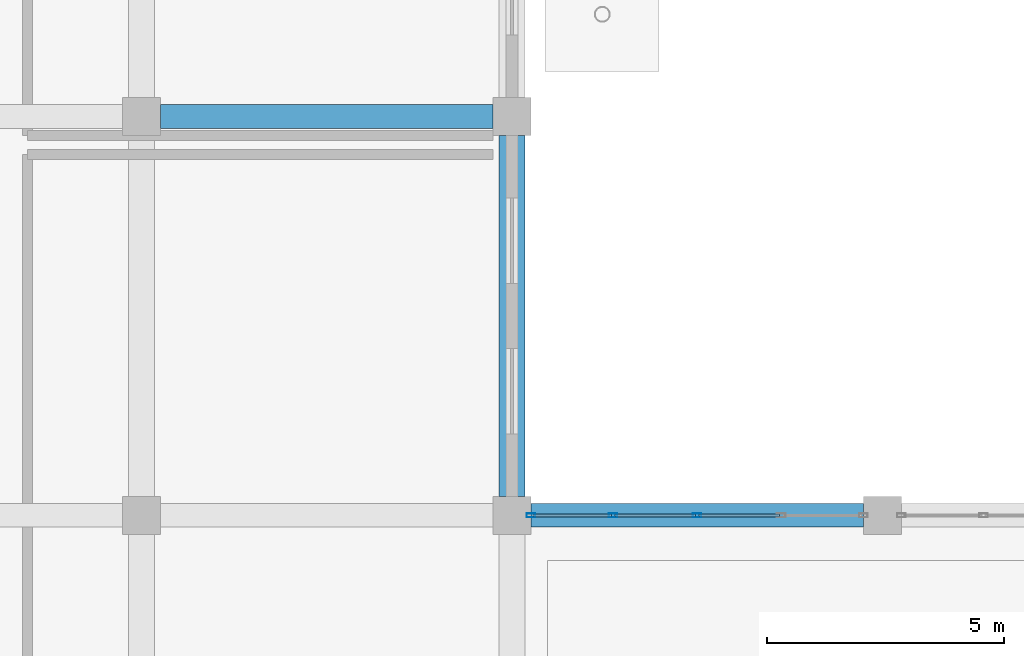
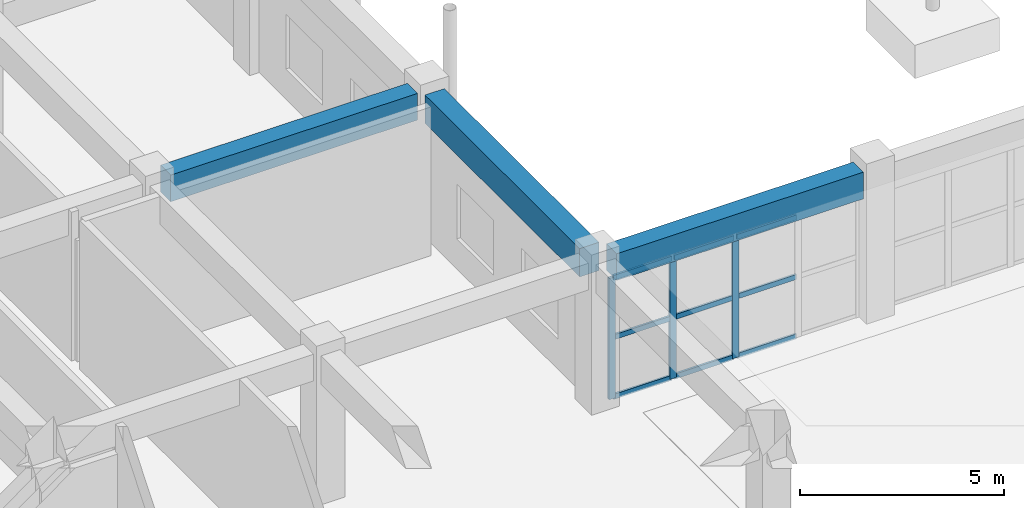
# One storey, part 23 of 139: 12 members, 3 beams, 1 element without a shape of its own.
"""IFC4 building model written with IfcOpenShell, lengths in metres."""

import ifcopenshell
import ifcopenshell.guid

model = None  # the IFC model being written
_history = None  # IfcOwnerHistory: only IFC2X3 demands one
_inside = {}  # id of a spatial element -> (the spatial element, [elements in it])
_under = {}  # id of a project, library or spatial element -> (it, [spatial elements below it])
_declared = {}  # id of a project -> (the project, [libraries it declares])
_typed = {}  # id of a type object -> (the type object, [elements of that type])
_made_of = {}  # id of a material, layer set ... -> (it, [elements and type objects made of it])


def new_model(schema):
    """Start an empty IFC model of exactly this schema.

    Asked for "IFC4X3", IfcOpenShell would pick the latest addendum, in which some entities
    have other attributes; the version numbers below select the first issue.
    IFC2X3 requires an IfcOwnerHistory on every rooted entity: one is made here for all.
    """
    global model, _history
    if schema == "IFC4X3":
        model = ifcopenshell.file(schema_version=(4, 3, 0, 0))
    else:
        model = ifcopenshell.file(schema=schema)
    _inside.clear()
    _under.clear()
    _declared.clear()
    _typed.clear()
    _made_of.clear()
    _history = None
    if model.schema == "IFC2X3":
        org = make("IfcOrganization", Name="unknown")
        user = make(
            "IfcPersonAndOrganization",
            ThePerson=make("IfcPerson", FamilyName="unknown"),
            TheOrganization=org,
        )
        app = make(
            "IfcApplication",
            ApplicationDeveloper=org,
            Version="unknown",
            ApplicationFullName="unknown",
            ApplicationIdentifier="unknown",
        )
        _history = make(
            "IfcOwnerHistory",
            OwningUser=user,
            OwningApplication=app,
            ChangeAction="ADDED",
            CreationDate=0,
        )
    return model


def make(cls, **values):
    """One entity of the class cls with the attributes given. An attribute that is None is left unset."""
    return model.create_entity(
        cls, **{name: value for name, value in values.items() if value is not None}
    )


def rooted(cls, **values):
    """An entity with a GlobalId (a new one), such as an element, a storey or a relation."""
    return make(cls, GlobalId=ifcopenshell.guid.new(), OwnerHistory=_history, **values)


def si_unit(unit_type, name, prefix=None):
    """IfcSIUnit, for example si_unit("LENGTHUNIT", "METRE", prefix="MILLI")."""
    return make("IfcSIUnit", UnitType=unit_type, Prefix=prefix, Name=name)


def assignment(units):
    """IfcUnitAssignment: the units of a project."""
    return None if units is None else make("IfcUnitAssignment", Units=units)


def point(xyz):
    """IfcCartesianPoint."""
    return None if xyz is None else make("IfcCartesianPoint", Coordinates=xyz)


def direction(xyz):
    """IfcDirection."""
    return None if xyz is None else make("IfcDirection", DirectionRatios=xyz)


def frame(location, z_axis=None, x_axis=None):
    """IfcAxis2Placement3D, a coordinate frame: its origin and axes. An axis left out is left unset."""
    return make(
        "IfcAxis2Placement3D",
        Location=point(location),
        Axis=direction(z_axis),
        RefDirection=direction(x_axis),
    )


def frame_2d(location, x_axis=None):
    """IfcAxis2Placement2D, a coordinate frame in the plane: its origin and x axis."""
    return make(
        "IfcAxis2Placement2D", Location=point(location), RefDirection=direction(x_axis)
    )


def origin():
    """The frame at (0, 0, 0) with its axes left unset."""
    return frame((0.0, 0.0, 0.0))


def origin_2d():
    """The frame at (0, 0) in the plane with its x axis left unset."""
    return frame_2d((0.0, 0.0))


def place(relative_to, where):
    """IfcLocalPlacement: puts the frame where relative to a parent placement (None: the world)."""
    return make(
        "IfcLocalPlacement", PlacementRelTo=relative_to, RelativePlacement=where
    )


def context(
    kind, dimensions, precision=None, world=None, true_north=None, identifier=None
):
    """IfcGeometricRepresentationContext, for example the 3D "Model" context."""
    return make(
        "IfcGeometricRepresentationContext",
        ContextIdentifier=identifier,
        ContextType=kind,
        CoordinateSpaceDimension=dimensions,
        Precision=precision,
        WorldCoordinateSystem=world,
        TrueNorth=true_north,
    )


def subcontext(parent, identifier, kind, view, scale=None):
    """IfcGeometricRepresentationSubContext, for example "Body" below "Model"."""
    return make(
        "IfcGeometricRepresentationSubContext",
        ContextIdentifier=identifier,
        ContextType=kind,
        ParentContext=parent,
        TargetScale=scale,
        TargetView=view,
    )


def project(units=None, contexts=None):
    """IfcProject with its units and contexts."""
    return rooted(
        "IfcProject",
        Name="project",
        RepresentationContexts=contexts,
        UnitsInContext=assignment(units),
    )


def spatial(cls, under=None, at=None, **own):
    """A site, building, storey or space (cls), placed at a placement, below another one or the project."""
    s = rooted(cls, ObjectPlacement=at, **own)
    if under is not None:
        _under.setdefault(under.id(), (under, []))[1].append(s)
    return s


def profile(cls, at=None, kind="AREA", **sizes):
    """A parametric profile (cls). Its sizes go by their IFC names, for example OverallWidth=200.0."""
    return make(cls, ProfileType=kind, Position=at, **sizes)


def rectangle(**sizes):
    """IfcRectangleProfileDef."""
    return profile("IfcRectangleProfileDef", **sizes)


def hollow_rectangle(**sizes):
    """IfcRectangleHollowProfileDef."""
    return profile("IfcRectangleHollowProfileDef", **sizes)


def extrude(swept, where, along, depth):
    """IfcExtrudedAreaSolid: the profile swept, set in the frame where, extruded along a direction by depth."""
    return make(
        "IfcExtrudedAreaSolid",
        SweptArea=swept,
        Position=where,
        ExtrudedDirection=direction(along),
        Depth=depth,
    )


def shape(context_of_items, identifier, shape_type, items):
    """IfcShapeRepresentation: the items that make up one representation, for example the "Body"."""
    return make(
        "IfcShapeRepresentation",
        ContextOfItems=context_of_items,
        RepresentationIdentifier=identifier,
        RepresentationType=shape_type,
        Items=items,
    )


def material(Name=None, Category=None):
    """IfcMaterial."""
    return make("IfcMaterial", Name=Name, Category=Category)


def layer(
    of_material, thickness, ventilated=None, Name=None, Category=None, Priority=None
):
    """IfcMaterialLayer: one layer of a wall or slab, of a material (None: an air gap)."""
    return make(
        "IfcMaterialLayer",
        Material=of_material,
        LayerThickness=thickness,
        IsVentilated=ventilated,
        Name=Name,
        Category=Category,
        Priority=Priority,
    )


def layer_set(layers, Name=None):
    """IfcMaterialLayerSet."""
    return make("IfcMaterialLayerSet", MaterialLayers=layers, LayerSetName=Name)


def material_profile(
    of_material, cross_section, Name=None, Category=None, Priority=None
):
    """IfcMaterialProfile: a cross section and its material."""
    return make(
        "IfcMaterialProfile",
        Name=Name,
        Material=of_material,
        Profile=cross_section,
        Priority=Priority,
        Category=Category,
    )


def profile_set(profiles, Name=None, composite=None):
    """IfcMaterialProfileSet."""
    return make(
        "IfcMaterialProfileSet",
        Name=Name,
        MaterialProfiles=profiles,
        CompositeProfile=composite,
    )


def made_of(thing, what):
    """Note that an element or type object is made of a material, layer set ...; save() writes the relation."""
    if what is not None:
        _made_of.setdefault(what.id(), (what, []))[1].append(thing)
    return thing


def type_object(cls, material=None, **own):
    """A type object (cls), such as IfcWallType, which elements share."""
    return made_of(rooted(cls, **own), material)


def element(
    cls,
    number,
    at=None,
    inside=None,
    cuts=None,
    type_object=None,
    material=None,
    context=None,
    identifier="Body",
    shape_type=None,
    held_by="IfcProductDefinitionShape",
    body=None,
    shapes=None,
    **own,
):
    """One element of the class cls, such as IfcWall. Its Tag is "e" and its number.

    at: its placement. inside: the storey or other place that contains it. cuts: it is an
    opening in that element (IfcRelVoidsElement). A single representation is given by context,
    identifier, shape_type and body (its items); several are given by shapes. held_by: the class
    of the entity that holds the representations. save() writes the other relations.
    """
    e = rooted(cls, Tag="e%d" % number, ObjectPlacement=at, **own)
    if body is not None:
        shapes = [shape(context, identifier, shape_type, body)]
    if shapes is not None:
        e.Representation = make(held_by, Representations=shapes)
    if inside is not None:
        _inside.setdefault(inside.id(), (inside, []))[1].append(e)
    if cuts is not None:
        rooted(
            "IfcRelVoidsElement", RelatingBuildingElement=cuts, RelatedOpeningElement=e
        )
    if type_object is not None:
        _typed.setdefault(type_object.id(), (type_object, []))[1].append(e)
    return made_of(e, material)


def aggregate(whole, parts):
    """IfcRelAggregates: a whole, such as a stair, and the parts it consists of."""
    return rooted("IfcRelAggregates", RelatingObject=whole, RelatedObjects=parts)


def save(model, path):
    """Write the relations noted so far, then the file.

    IfcRelAggregates (storeys below a building ...), IfcRelContainedInSpatialStructure (elements
    in a storey), IfcRelDefinesByType, IfcRelAssociatesMaterial and IfcRelDeclares: one each for
    every whole, place, type object, material and project.
    """
    for whole, parts in _under.values():
        aggregate(whole, parts)
    for where, things in _inside.values():
        rooted(
            "IfcRelContainedInSpatialStructure",
            RelatedElements=things,
            RelatingStructure=where,
        )
    for kind, things in _typed.values():
        rooted("IfcRelDefinesByType", RelatedObjects=things, RelatingType=kind)
    for what, things in _made_of.values():
        rooted("IfcRelAssociatesMaterial", RelatedObjects=things, RelatingMaterial=what)
    for by, libraries in _declared.values():
        rooted("IfcRelDeclares", RelatingContext=by, RelatedDefinitions=libraries)
    model.write(path)


model = new_model("IFC4")

# Units and contexts
model_context = context("Model", 3, precision=1e-05, world=origin(), true_north=direction((0.0, 1.0)))
body_context = subcontext(model_context, "Body", "Model", "MODEL_VIEW")
ifc_project = project(units=[si_unit("LENGTHUNIT", "METRE"), si_unit("AREAUNIT", "SQUARE_METRE"), si_unit("VOLUMEUNIT", "CUBIC_METRE"), si_unit("PLANEANGLEUNIT", "RADIAN"), si_unit("MASSUNIT", "GRAM", prefix="KILO")], contexts=[model_context])

# Site, building, storey
site_placement = place(None, origin())
site = spatial("IfcSite", under=ifc_project, at=site_placement, CompositionType="ELEMENT")
building_placement = place(site_placement, origin())
building = spatial("IfcBuilding", under=site, at=building_placement, Name="Zizhar Promenade General Hospital", CompositionType="ELEMENT")
storey_placement = place(building_placement, origin())
storey = spatial("IfcBuildingStorey", under=building, at=storey_placement, Name="L00", CompositionType="ELEMENT", Elevation=0.0)

# Beams
ifc_material_1 = material(Name="Concrete C35/45", Category="concrete")
ifc_material_profile_1 = material_profile(ifc_material_1, rectangle(XDim=0.5, YDim=0.800048828125, at=origin_2d()))
ifc_profile_set_1 = profile_set([ifc_material_profile_1], Name="Concrete C35/45")
beam_type_1 = type_object("IfcBeamType", Name="BM-RC-500x800", PredefinedType="BEAM", material=ifc_profile_set_1)
for number, where, z_axis, x_axis, name in (
    (1, (62.800048828125, 58.800048828125, 4.070068359375), (1.0, 0.0, 0.0), (0.0, 1.0, 0.0), "Grid Beam X L00 (8-7)"),
    (2, (70.60009765625, 50.39990234375, 4.070068359375), (1.0, 0.0, 0.0), (0.0, 1.0, 0.0), "Grid Beam X L00 (9-6)"),
):
    element("IfcBeam", number, at=place(storey_placement, frame(where, z_axis=z_axis, x_axis=x_axis)), inside=storey, type_object=beam_type_1, Name=name, PredefinedType="BEAM", context=body_context, shape_type="SweptSolid", body=[
        extrude(rectangle(XDim=0.5, YDim=0.800048828125, at=origin_2d()), origin(), (0.0, 0.0, 1.0), 7.0),
    ])
ifc_material_2 = material(Name="Concrete C35/45", Category="concrete")
ifc_material_profile_2 = material_profile(ifc_material_2, rectangle(XDim=0.550048828125, YDim=0.85009765625, at=origin_2d()))
ifc_profile_set_2 = profile_set([ifc_material_profile_2], Name="Concrete C35/45")
beam_type_2 = type_object("IfcBeamType", Name="BM-RC-550x850", PredefinedType="BEAM", material=ifc_profile_set_2)
beam_placement = place(storey_placement, frame((70.199951171875, 50.800048828125, 4.044921875), z_axis=(0.0, 1.0, 0.0), x_axis=(-1.0, 0.0, 0.0)))
element("IfcBeam", 3, at=beam_placement, inside=storey, type_object=beam_type_2, Name="Grid Beam Y L00 (9-6)", PredefinedType="BEAM", context=body_context, shape_type="SweptSolid", body=[
    extrude(rectangle(XDim=0.550048828125, YDim=0.85009765625, at=origin_2d()), origin(), (0.0, 0.0, 1.0), 7.599853515625),
])

# Curtain wall, members
ifc_material_3 = material(Name="Anodised aluminium 6063-T6 and low-E glass", Category="aluminium")
ifc_layer = layer(ifc_material_3, 0.159912109375)
ifc_layer_set = layer_set([ifc_layer], Name="Anodised aluminium 6063-T6 and low-E glass")
curtain_wall_type = type_object("IfcCurtainWallType", Name="CW-HALL-N", PredefinedType="NOTDEFINED", material=ifc_layer_set)
curtain_wall_placement = place(storey_placement, origin())
curtain_wall = element("IfcCurtainWall", 4, at=curtain_wall_placement, inside=storey, type_object=curtain_wall_type, Name="Main Hall Courtyard Curtain Wall L00-9", PredefinedType="NOTDEFINED")
ifc_material_4 = material(Name="Anodised aluminium 6063-T6", Category="aluminium")
ifc_material_profile_3 = material_profile(ifc_material_4, hollow_rectangle(XDim=0.080078125, YDim=0.179931640625, WallThickness=0.0048828125, at=origin_2d()))
ifc_profile_set_3 = profile_set([ifc_material_profile_3], Name="Anodised aluminium 6063-T6")
member_type_1 = type_object("IfcMemberType", Name="CWM-ALU-180x80", PredefinedType="MULLION", material=ifc_profile_set_3)
member_1_placement = place(storey_placement, frame((70.60009765625, 50.39990234375, 0.0), z_axis=(0.0, 0.0, 1.0), x_axis=(0.0, 1.0, 0.0)))
member_1 = element("IfcMember", 5, at=member_1_placement, type_object=member_type_1, Name="CW-02 mullion 1", PredefinedType="MULLION", context=body_context, shape_type="SweptSolid", body=[
    extrude(hollow_rectangle(XDim=0.080078125, YDim=0.179931640625, WallThickness=0.0048828125, at=origin_2d()), origin(), (0.0, 0.0, 1.0), 3.6298828125),
])
member_2_placement = place(storey_placement, frame((72.330078125, 50.39990234375, 0.0), z_axis=(0.0, 0.0, 1.0), x_axis=(0.0, 1.0, 0.0)))
member_2 = element("IfcMember", 6, at=member_2_placement, type_object=member_type_1, Name="CW-02 mullion 2", PredefinedType="MULLION", context=body_context, shape_type="SweptSolid", body=[
    extrude(hollow_rectangle(XDim=0.080078125, YDim=0.179931640625, WallThickness=0.0048828125, at=origin_2d()), origin(), (0.0, 0.0, 1.0), 3.6298828125),
])
member_3_placement = place(storey_placement, frame((74.10009765625, 50.39990234375, 0.0), z_axis=(0.0, 0.0, 1.0), x_axis=(0.0, 1.0, 0.0)))
member_3 = element("IfcMember", 7, at=member_3_placement, type_object=member_type_1, Name="CW-02 mullion 3", PredefinedType="MULLION", context=body_context, shape_type="SweptSolid", body=[
    extrude(hollow_rectangle(XDim=0.080078125, YDim=0.179931640625, WallThickness=0.0048828125, at=origin_2d()), origin(), (0.0, 0.0, 1.0), 3.6298828125),
])
ifc_material_5 = material(Name="Anodised aluminium 6063-T6", Category="aluminium")
ifc_material_profile_4 = material_profile(ifc_material_5, hollow_rectangle(XDim=0.06005859375, YDim=0.14990234375, WallThickness=0.00390625, at=origin_2d()))
ifc_profile_set_4 = profile_set([ifc_material_profile_4], Name="Anodised aluminium 6063-T6")
member_type_2 = type_object("IfcMemberType", Name="CWT-ALU-150x60", PredefinedType="USERDEFINED", material=ifc_profile_set_4)
member_4_placement = place(storey_placement, frame((70.639892578125, 50.39990234375, 0.030029296875), z_axis=(1.0, 0.0, 0.0), x_axis=(0.0, 1.0, 0.0)))
member_4 = element("IfcMember", 8, at=member_4_placement, type_object=member_type_2, Name="CW-02 transom 1.1", ObjectType="TRANSOM", PredefinedType="USERDEFINED", context=body_context, shape_type="SweptSolid", body=[
    extrude(hollow_rectangle(XDim=0.06005859375, YDim=0.14990234375, WallThickness=0.00390625, at=origin_2d()), origin(), (0.0, 0.0, 1.0), 1.650146484375),
])
member_5_placement = place(storey_placement, frame((70.639892578125, 50.39990234375, 1.81494140625), z_axis=(1.0, 0.0, 0.0), x_axis=(0.0, 1.0, 0.0)))
member_5 = element("IfcMember", 9, at=member_5_placement, type_object=member_type_2, Name="CW-02 transom 1.2", ObjectType="TRANSOM", PredefinedType="USERDEFINED", context=body_context, shape_type="SweptSolid", body=[
    extrude(hollow_rectangle(XDim=0.06005859375, YDim=0.14990234375, WallThickness=0.00390625, at=origin_2d()), origin(), (0.0, 0.0, 1.0), 1.650146484375),
])
member_6_placement = place(storey_placement, frame((70.639892578125, 50.39990234375, 3.60009765625), z_axis=(1.0, 0.0, 0.0), x_axis=(0.0, 1.0, 0.0)))
member_6 = element("IfcMember", 10, at=member_6_placement, type_object=member_type_2, Name="CW-02 transom 1.3", ObjectType="TRANSOM", PredefinedType="USERDEFINED", context=body_context, shape_type="SweptSolid", body=[
    extrude(hollow_rectangle(XDim=0.06005859375, YDim=0.14990234375, WallThickness=0.00390625, at=origin_2d()), origin(), (0.0, 0.0, 1.0), 1.650146484375),
])
member_7_placement = place(storey_placement, frame((72.3701171875, 50.39990234375, 0.030029296875), z_axis=(1.0, 0.0, 0.0), x_axis=(0.0, 1.0, 0.0)))
member_7 = element("IfcMember", 11, at=member_7_placement, type_object=member_type_2, Name="CW-02 transom 2.1", ObjectType="TRANSOM", PredefinedType="USERDEFINED", context=body_context, shape_type="SweptSolid", body=[
    extrude(hollow_rectangle(XDim=0.06005859375, YDim=0.14990234375, WallThickness=0.00390625, at=origin_2d()), origin(), (0.0, 0.0, 1.0), 1.68994140625),
])
member_8_placement = place(storey_placement, frame((72.3701171875, 50.39990234375, 1.81494140625), z_axis=(1.0, 0.0, 0.0), x_axis=(0.0, 1.0, 0.0)))
member_8 = element("IfcMember", 12, at=member_8_placement, type_object=member_type_2, Name="CW-02 transom 2.2", ObjectType="TRANSOM", PredefinedType="USERDEFINED", context=body_context, shape_type="SweptSolid", body=[
    extrude(hollow_rectangle(XDim=0.06005859375, YDim=0.14990234375, WallThickness=0.00390625, at=origin_2d()), origin(), (0.0, 0.0, 1.0), 1.68994140625),
])
member_9_placement = place(storey_placement, frame((72.3701171875, 50.39990234375, 3.60009765625), z_axis=(1.0, 0.0, 0.0), x_axis=(0.0, 1.0, 0.0)))
member_9 = element("IfcMember", 13, at=member_9_placement, type_object=member_type_2, Name="CW-02 transom 2.3", ObjectType="TRANSOM", PredefinedType="USERDEFINED", context=body_context, shape_type="SweptSolid", body=[
    extrude(hollow_rectangle(XDim=0.06005859375, YDim=0.14990234375, WallThickness=0.00390625, at=origin_2d()), origin(), (0.0, 0.0, 1.0), 1.68994140625),
])
member_10_placement = place(storey_placement, frame((74.139892578125, 50.39990234375, 0.030029296875), z_axis=(1.0, 0.0, 0.0), x_axis=(0.0, 1.0, 0.0)))
member_10 = element("IfcMember", 14, at=member_10_placement, type_object=member_type_2, Name="CW-02 transom 3.1", ObjectType="TRANSOM", PredefinedType="USERDEFINED", context=body_context, shape_type="SweptSolid", body=[
    extrude(hollow_rectangle(XDim=0.06005859375, YDim=0.14990234375, WallThickness=0.00390625, at=origin_2d()), origin(), (0.0, 0.0, 1.0), 1.690185546875),
])
member_11_placement = place(storey_placement, frame((74.139892578125, 50.39990234375, 1.81494140625), z_axis=(1.0, 0.0, 0.0), x_axis=(0.0, 1.0, 0.0)))
member_11 = element("IfcMember", 15, at=member_11_placement, type_object=member_type_2, Name="CW-02 transom 3.2", ObjectType="TRANSOM", PredefinedType="USERDEFINED", context=body_context, shape_type="SweptSolid", body=[
    extrude(hollow_rectangle(XDim=0.06005859375, YDim=0.14990234375, WallThickness=0.00390625, at=origin_2d()), origin(), (0.0, 0.0, 1.0), 1.690185546875),
])
member_12_placement = place(storey_placement, frame((74.139892578125, 50.39990234375, 3.60009765625), z_axis=(1.0, 0.0, 0.0), x_axis=(0.0, 1.0, 0.0)))
member_12 = element("IfcMember", 16, at=member_12_placement, type_object=member_type_2, Name="CW-02 transom 3.3", ObjectType="TRANSOM", PredefinedType="USERDEFINED", context=body_context, shape_type="SweptSolid", body=[
    extrude(hollow_rectangle(XDim=0.06005859375, YDim=0.14990234375, WallThickness=0.00390625, at=origin_2d()), origin(), (0.0, 0.0, 1.0), 1.690185546875),
])
aggregate(curtain_wall, [member_1, member_2, member_3, member_4, member_5, member_6, member_7, member_8, member_9, member_10, member_11, member_12])

save(model, "model.ifc")
